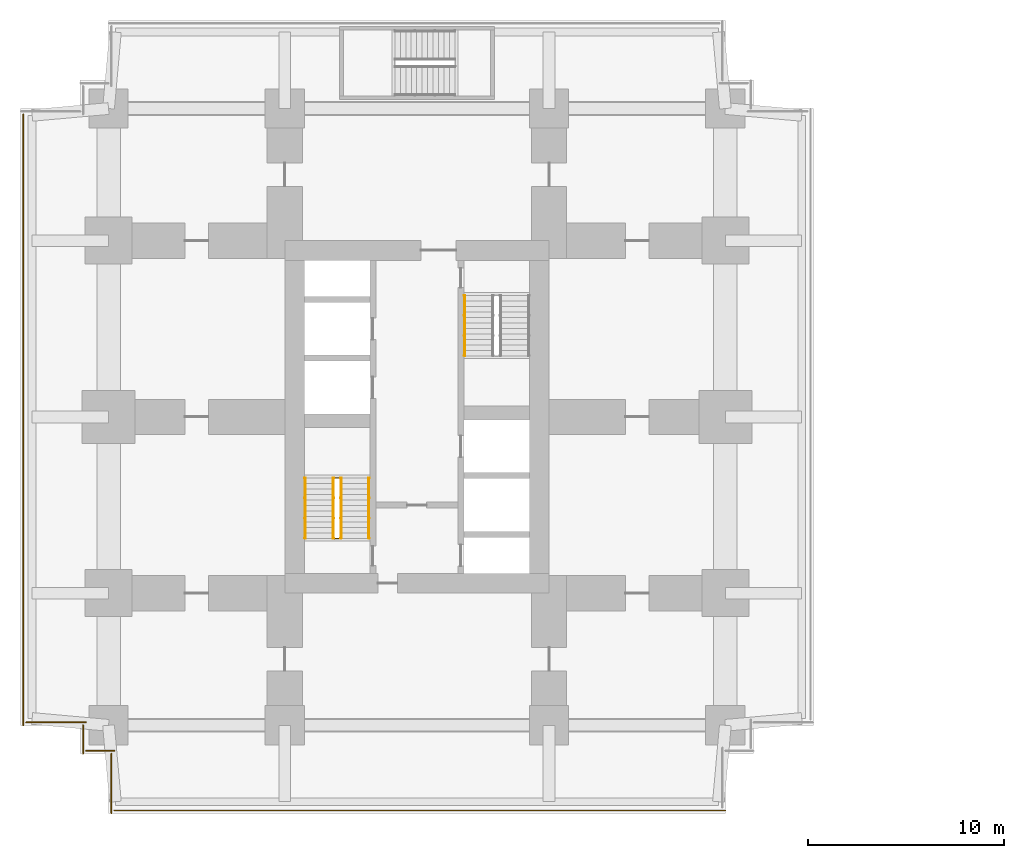
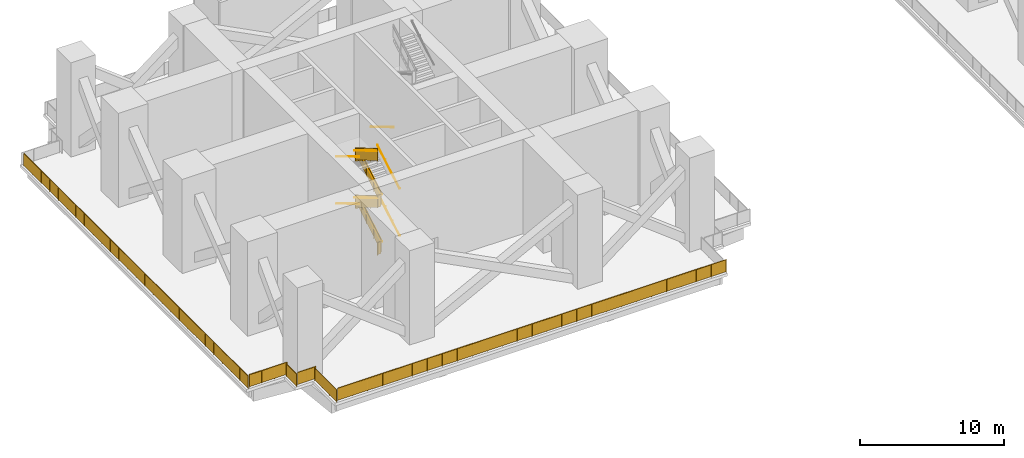
# One storey, part 7 of 12: 16 railings.
"""IFC4 building model written with IfcOpenShell, lengths in metres."""

from ifc_helpers import new_model, si_unit, direction, frame, origin, origin_2d, place, context, subcontext, project, spatial, polyline, circle, outline, extrude, material, type_object, element, save


model = new_model("IFC4")

# Units and contexts
model_context = context("Model", 3, precision=1e-05, world=origin(), true_north=direction((0.0, 1.0)))
body_context = subcontext(model_context, "Body", "Model", "MODEL_VIEW")
ifc_project = project(units=[si_unit("LENGTHUNIT", "METRE"), si_unit("AREAUNIT", "SQUARE_METRE"), si_unit("VOLUMEUNIT", "CUBIC_METRE"), si_unit("PLANEANGLEUNIT", "RADIAN"), si_unit("MASSUNIT", "GRAM", prefix="KILO")], contexts=[model_context])

# Site, building, storey
site_placement = place(None, origin())
site = spatial("IfcSite", under=ifc_project, at=site_placement, CompositionType="ELEMENT")
building_placement = place(site_placement, origin())
building = spatial("IfcBuilding", under=site, at=building_placement, Name="Namib Vertical Campus", CompositionType="ELEMENT")
storey_placement = place(building_placement, frame((0.0, 0.0, 77.0)))
storey = spatial("IfcBuildingStorey", under=building, at=storey_placement, Name="L18", CompositionType="ELEMENT", Elevation=77.0)

# Railings
ifc_material_1 = material(Name="Toughened glass balustrade", Category="glass")
railing_type_1 = type_object("IfcRailingType", Name="Edge guard 1100", PredefinedType="GUARDRAIL", material=ifc_material_1)
railing_1_placement = place(storey_placement, frame((4.800048828125, 0.14990234375, 0.0)))
element("IfcRailing", 1, at=railing_1_placement, inside=storey, type_object=railing_type_1, Name="Refuge edge guard GR2 A L18 1", PredefinedType="GUARDRAIL", context=body_context, shape_type="SweptSolid", body=[
    extrude(circle(Radius=0.02392578125, at=origin_2d()), frame((0.0, 0.0, 1.076171875), z_axis=(1.0, 0.0, 0.0), x_axis=(0.0, 1.0, 0.0)), (0.0, 0.0, 1.0), 31.199951171875),
    extrude(outline(polyline([(0.02099609375, 0.050048828125), (31.178955078125, 0.050048828125), (31.178955078125, 1.052001953125), (0.02099609375, 1.052001953125), (0.02099609375, 0.050048828125)])), frame((0.0, 0.0107421875, 0.0), z_axis=(0.0, -1.0, 0.0), x_axis=(1.0, 0.0, 0.0)), (0.0, 0.0, 1.0), 0.021484375),
    extrude(circle(Radius=0.02099609375, at=origin_2d()), origin(), (0.0, 0.0, 1.0), 1.052001953125),
    extrude(circle(Radius=0.02099609375, at=origin_2d()), frame((1.199951171875, 0.0, 0.0)), (0.0, 0.0, 1.0), 1.052001953125),
    extrude(circle(Radius=0.02099609375, at=origin_2d()), frame((2.39990234375, 0.0, 0.0)), (0.0, 0.0, 1.0), 1.052001953125),
    extrude(circle(Radius=0.02099609375, at=origin_2d()), frame((3.60009765625, 0.0, 0.0)), (0.0, 0.0, 1.0), 1.052001953125),
    extrude(circle(Radius=0.02099609375, at=origin_2d()), frame((4.800048828125, 0.0, 0.0)), (0.0, 0.0, 1.0), 1.052001953125),
    extrude(circle(Radius=0.02099609375, at=origin_2d()), frame((6.0, 0.0, 0.0)), (0.0, 0.0, 1.0), 1.052001953125),
    extrude(circle(Radius=0.02099609375, at=origin_2d()), frame((7.199951171875, 0.0, 0.0)), (0.0, 0.0, 1.0), 1.052001953125),
    extrude(circle(Radius=0.02099609375, at=origin_2d()), frame((8.39990234375, 0.0, 0.0)), (0.0, 0.0, 1.0), 1.052001953125),
    extrude(circle(Radius=0.02099609375, at=origin_2d()), frame((9.60009765625, 0.0, 0.0)), (0.0, 0.0, 1.0), 1.052001953125),
    extrude(circle(Radius=0.02099609375, at=origin_2d()), frame((10.800048828125, 0.0, 0.0)), (0.0, 0.0, 1.0), 1.052001953125),
    extrude(circle(Radius=0.02099609375, at=origin_2d()), frame((12.0, 0.0, 0.0)), (0.0, 0.0, 1.0), 1.052001953125),
    extrude(circle(Radius=0.02099609375, at=origin_2d()), frame((13.199951171875, 0.0, 0.0)), (0.0, 0.0, 1.0), 1.052001953125),
    extrude(circle(Radius=0.02099609375, at=origin_2d()), frame((14.39990234375, 0.0, 0.0)), (0.0, 0.0, 1.0), 1.052001953125),
    extrude(circle(Radius=0.02099609375, at=origin_2d()), frame((15.60009765625, 0.0, 0.0)), (0.0, 0.0, 1.0), 1.052001953125),
    extrude(circle(Radius=0.02099609375, at=origin_2d()), frame((16.800048828125, 0.0, 0.0)), (0.0, 0.0, 1.0), 1.052001953125),
    extrude(circle(Radius=0.02099609375, at=origin_2d()), frame((18.0, 0.0, 0.0)), (0.0, 0.0, 1.0), 1.052001953125),
    extrude(circle(Radius=0.02099609375, at=origin_2d()), frame((19.199951171875, 0.0, 0.0)), (0.0, 0.0, 1.0), 1.052001953125),
    extrude(circle(Radius=0.02099609375, at=origin_2d()), frame((20.39990234375, 0.0, 0.0)), (0.0, 0.0, 1.0), 1.052001953125),
    extrude(circle(Radius=0.02099609375, at=origin_2d()), frame((21.599853515625, 0.0, 0.0)), (0.0, 0.0, 1.0), 1.052001953125),
    extrude(circle(Radius=0.02099609375, at=origin_2d()), frame((22.800048828125, 0.0, 0.0)), (0.0, 0.0, 1.0), 1.052001953125),
    extrude(circle(Radius=0.02099609375, at=origin_2d()), frame((24.0, 0.0, 0.0)), (0.0, 0.0, 1.0), 1.052001953125),
    extrude(circle(Radius=0.02099609375, at=origin_2d()), frame((25.199951171875, 0.0, 0.0)), (0.0, 0.0, 1.0), 1.052001953125),
    extrude(circle(Radius=0.02099609375, at=origin_2d()), frame((26.39990234375, 0.0, 0.0)), (0.0, 0.0, 1.0), 1.052001953125),
    extrude(circle(Radius=0.02099609375, at=origin_2d()), frame((27.599853515625, 0.0, 0.0)), (0.0, 0.0, 1.0), 1.052001953125),
    extrude(circle(Radius=0.02099609375, at=origin_2d()), frame((28.800048828125, 0.0, 0.0)), (0.0, 0.0, 1.0), 1.052001953125),
    extrude(circle(Radius=0.02099609375, at=origin_2d()), frame((30.0, 0.0, 0.0)), (0.0, 0.0, 1.0), 1.052001953125),
    extrude(circle(Radius=0.02099609375, at=origin_2d()), frame((31.199951171875, 0.0, 0.0)), (0.0, 0.0, 1.0), 1.052001953125),
])
railing_2_placement = place(storey_placement, frame((0.14990234375, 35.699951171875, 0.0)))
element("IfcRailing", 2, at=railing_2_placement, inside=storey, type_object=railing_type_1, Name="Refuge edge guard GR2 A L18 16", PredefinedType="GUARDRAIL", context=body_context, shape_type="SweptSolid", body=[
    extrude(circle(Radius=0.02392578125, at=origin_2d()), frame((0.0, 0.0, 1.076171875), z_axis=(0.0, -1.0, 0.0), x_axis=(1.0, 0.0, 0.0)), (0.0, 0.0, 1.0), 31.199951171875),
    extrude(outline(polyline([(0.02099609375, 0.050048828125), (31.178955078125, 0.050048828125), (31.178955078125, 1.052001953125), (0.02099609375, 1.052001953125), (0.02099609375, 0.050048828125)])), frame((0.0107421875, 0.0, 0.0), z_axis=(-1.0, 0.0, 0.0), x_axis=(0.0, -1.0, 0.0)), (0.0, 0.0, 1.0), 0.021484375),
    extrude(circle(Radius=0.02099609375, at=origin_2d()), origin(), (0.0, 0.0, 1.0), 1.052001953125),
    extrude(circle(Radius=0.02099609375, at=origin_2d()), frame((0.0, -1.199951171875, 0.0)), (0.0, 0.0, 1.0), 1.052001953125),
    extrude(circle(Radius=0.02099609375, at=origin_2d()), frame((0.0, -2.39990234375, 0.0)), (0.0, 0.0, 1.0), 1.052001953125),
    extrude(circle(Radius=0.02099609375, at=origin_2d()), frame((0.0, -3.60009765625, 0.0)), (0.0, 0.0, 1.0), 1.052001953125),
    extrude(circle(Radius=0.02099609375, at=origin_2d()), frame((0.0, -4.800048828125, 0.0)), (0.0, 0.0, 1.0), 1.052001953125),
    extrude(circle(Radius=0.02099609375, at=origin_2d()), frame((0.0, -6.0, 0.0)), (0.0, 0.0, 1.0), 1.052001953125),
    extrude(circle(Radius=0.02099609375, at=origin_2d()), frame((0.0, -7.199951171875, 0.0)), (0.0, 0.0, 1.0), 1.052001953125),
    extrude(circle(Radius=0.02099609375, at=origin_2d()), frame((0.0, -8.39990234375, 0.0)), (0.0, 0.0, 1.0), 1.052001953125),
    extrude(circle(Radius=0.02099609375, at=origin_2d()), frame((0.0, -9.60009765625, 0.0)), (0.0, 0.0, 1.0), 1.052001953125),
    extrude(circle(Radius=0.02099609375, at=origin_2d()), frame((0.0, -10.800048828125, 0.0)), (0.0, 0.0, 1.0), 1.052001953125),
    extrude(circle(Radius=0.02099609375, at=origin_2d()), frame((0.0, -12.0, 0.0)), (0.0, 0.0, 1.0), 1.052001953125),
    extrude(circle(Radius=0.02099609375, at=origin_2d()), frame((0.0, -13.199951171875, 0.0)), (0.0, 0.0, 1.0), 1.052001953125),
    extrude(circle(Radius=0.02099609375, at=origin_2d()), frame((0.0, -14.39990234375, 0.0)), (0.0, 0.0, 1.0), 1.052001953125),
    extrude(circle(Radius=0.02099609375, at=origin_2d()), frame((0.0, -15.60009765625, 0.0)), (0.0, 0.0, 1.0), 1.052001953125),
    extrude(circle(Radius=0.02099609375, at=origin_2d()), frame((0.0, -16.800048828125, 0.0)), (0.0, 0.0, 1.0), 1.052001953125),
    extrude(circle(Radius=0.02099609375, at=origin_2d()), frame((0.0, -18.0, 0.0)), (0.0, 0.0, 1.0), 1.052001953125),
    extrude(circle(Radius=0.02099609375, at=origin_2d()), frame((0.0, -19.199951171875, 0.0)), (0.0, 0.0, 1.0), 1.052001953125),
    extrude(circle(Radius=0.02099609375, at=origin_2d()), frame((0.0, -20.39990234375, 0.0)), (0.0, 0.0, 1.0), 1.052001953125),
    extrude(circle(Radius=0.02099609375, at=origin_2d()), frame((0.0, -21.599853515625, 0.0)), (0.0, 0.0, 1.0), 1.052001953125),
    extrude(circle(Radius=0.02099609375, at=origin_2d()), frame((0.0, -22.800048828125, 0.0)), (0.0, 0.0, 1.0), 1.052001953125),
    extrude(circle(Radius=0.02099609375, at=origin_2d()), frame((0.0, -24.0, 0.0)), (0.0, 0.0, 1.0), 1.052001953125),
    extrude(circle(Radius=0.02099609375, at=origin_2d()), frame((0.0, -25.199951171875, 0.0)), (0.0, 0.0, 1.0), 1.052001953125),
    extrude(circle(Radius=0.02099609375, at=origin_2d()), frame((0.0, -26.39990234375, 0.0)), (0.0, 0.0, 1.0), 1.052001953125),
    extrude(circle(Radius=0.02099609375, at=origin_2d()), frame((0.0, -27.599853515625, 0.0)), (0.0, 0.0, 1.0), 1.052001953125),
    extrude(circle(Radius=0.02099609375, at=origin_2d()), frame((0.0, -28.800048828125, 0.0)), (0.0, 0.0, 1.0), 1.052001953125),
    extrude(circle(Radius=0.02099609375, at=origin_2d()), frame((0.0, -30.0, 0.0)), (0.0, 0.0, 1.0), 1.052001953125),
    extrude(circle(Radius=0.02099609375, at=origin_2d()), frame((0.0, -31.199951171875, 0.0)), (0.0, 0.0, 1.0), 1.052001953125),
])
railing_3_placement = place(storey_placement, frame((0.300048828125, 4.64990234375, 0.0)))
element("IfcRailing", 3, at=railing_3_placement, inside=storey, type_object=railing_type_1, Name="Refuge edge guard GR2 A L18 17", PredefinedType="GUARDRAIL", context=body_context, shape_type="SweptSolid", body=[
    extrude(circle(Radius=0.02392578125, at=origin_2d()), frame((0.0, 0.0, 1.076171875), z_axis=(1.0, 0.0, 0.0), x_axis=(0.0, 1.0, 0.0)), (0.0, 0.0, 1.0), 3.050048828125),
    extrude(outline(polyline([(0.02099609375, 0.050048828125), (3.029052734375, 0.050048828125), (3.029052734375, 1.052001953125), (0.02099609375, 1.052001953125), (0.02099609375, 0.050048828125)])), frame((0.0, 0.0107421875, 0.0), z_axis=(0.0, -1.0, 0.0), x_axis=(1.0, 0.0, 0.0)), (0.0, 0.0, 1.0), 0.021484375),
    extrude(circle(Radius=0.02099609375, at=origin_2d()), origin(), (0.0, 0.0, 1.0), 1.052001953125),
    extrude(circle(Radius=0.02099609375, at=origin_2d()), frame((1.0166015625, 0.0, 0.0)), (0.0, 0.0, 1.0), 1.052001953125),
    extrude(circle(Radius=0.02099609375, at=origin_2d()), frame((2.033447265625, 0.0, 0.0)), (0.0, 0.0, 1.0), 1.052001953125),
    extrude(circle(Radius=0.02099609375, at=origin_2d()), frame((3.050048828125, 0.0, 0.0)), (0.0, 0.0, 1.0), 1.052001953125),
])
railing_4_placement = place(storey_placement, frame((3.199951171875, 4.5, 0.0)))
element("IfcRailing", 4, at=railing_4_placement, inside=storey, type_object=railing_type_1, Name="Refuge edge guard GR2 A L18 18", PredefinedType="GUARDRAIL", context=body_context, shape_type="SweptSolid", body=[
    extrude(circle(Radius=0.02392578125, at=origin_2d()), frame((0.0, 0.0, 1.076171875), z_axis=(0.0, -1.0, 0.0), x_axis=(1.0, 0.0, 0.0)), (0.0, 0.0, 1.0), 1.449951171875),
    extrude(outline(polyline([(0.02099609375, 0.050048828125), (1.428955078125, 0.050048828125), (1.428955078125, 1.052001953125), (0.02099609375, 1.052001953125), (0.02099609375, 0.050048828125)])), frame((0.0107421875, 0.0, 0.0), z_axis=(-1.0, 0.0, 0.0), x_axis=(0.0, -1.0, 0.0)), (0.0, 0.0, 1.0), 0.021484375),
    extrude(circle(Radius=0.02099609375, at=origin_2d()), origin(), (0.0, 0.0, 1.0), 1.052001953125),
    extrude(circle(Radius=0.02099609375, at=origin_2d()), frame((0.0, -0.72509765625, 0.0)), (0.0, 0.0, 1.0), 1.052001953125),
    extrude(circle(Radius=0.02099609375, at=origin_2d()), frame((0.0, -1.449951171875, 0.0)), (0.0, 0.0, 1.0), 1.052001953125),
])
railing_5_placement = place(storey_placement, frame((3.35009765625, 3.199951171875, 0.0)))
element("IfcRailing", 5, at=railing_5_placement, inside=storey, type_object=railing_type_1, Name="Refuge edge guard GR2 A L18 19", PredefinedType="GUARDRAIL", context=body_context, shape_type="SweptSolid", body=[
    extrude(circle(Radius=0.02392578125, at=origin_2d()), frame((0.0, 0.0, 1.076171875), z_axis=(1.0, 0.0, 0.0), x_axis=(0.0, 1.0, 0.0)), (0.0, 0.0, 1.0), 1.449951171875),
    extrude(outline(polyline([(0.02099609375, 0.050048828125), (1.428955078125, 0.050048828125), (1.428955078125, 1.052001953125), (0.02099609375, 1.052001953125), (0.02099609375, 0.050048828125)])), frame((0.0, 0.0107421875, 0.0), z_axis=(0.0, -1.0, 0.0), x_axis=(1.0, 0.0, 0.0)), (0.0, 0.0, 1.0), 0.021484375),
    extrude(circle(Radius=0.02099609375, at=origin_2d()), origin(), (0.0, 0.0, 1.0), 1.052001953125),
    extrude(circle(Radius=0.02099609375, at=origin_2d()), frame((0.72509765625, 0.0, 0.0)), (0.0, 0.0, 1.0), 1.052001953125),
    extrude(circle(Radius=0.02099609375, at=origin_2d()), frame((1.449951171875, 0.0, 0.0)), (0.0, 0.0, 1.0), 1.052001953125),
])
railing_6_placement = place(storey_placement, frame((4.64990234375, 3.050048828125, 0.0)))
element("IfcRailing", 6, at=railing_6_placement, inside=storey, type_object=railing_type_1, Name="Refuge edge guard GR2 A L18 20", PredefinedType="GUARDRAIL", context=body_context, shape_type="SweptSolid", body=[
    extrude(circle(Radius=0.02392578125, at=origin_2d()), frame((0.0, 0.0, 1.076171875), z_axis=(0.0, -1.0, 0.0), x_axis=(1.0, 0.0, 0.0)), (0.0, 0.0, 1.0), 3.050048828125),
    extrude(outline(polyline([(0.02099609375, 0.050048828125), (3.029052734375, 0.050048828125), (3.029052734375, 1.052001953125), (0.02099609375, 1.052001953125), (0.02099609375, 0.050048828125)])), frame((0.0107421875, 0.0, 0.0), z_axis=(-1.0, 0.0, 0.0), x_axis=(0.0, -1.0, 0.0)), (0.0, 0.0, 1.0), 0.021484375),
    extrude(circle(Radius=0.02099609375, at=origin_2d()), origin(), (0.0, 0.0, 1.0), 1.052001953125),
    extrude(circle(Radius=0.02099609375, at=origin_2d()), frame((0.0, -1.0166015625, 0.0)), (0.0, 0.0, 1.0), 1.052001953125),
    extrude(circle(Radius=0.02099609375, at=origin_2d()), frame((0.0, -2.033447265625, 0.0)), (0.0, 0.0, 1.0), 1.052001953125),
    extrude(circle(Radius=0.02099609375, at=origin_2d()), frame((0.0, -3.050048828125, 0.0)), (0.0, 0.0, 1.0), 1.052001953125),
])
ifc_material_2 = material(Name="Steel handrail", Category="steel")
railing_type_2 = type_object("IfcRailingType", Name="Handrail 900", PredefinedType="HANDRAIL", material=ifc_material_2)
railing_7_placement = place(storey_placement, frame((17.800048828125, 14.050048828125, 0.166748046875)))
element("IfcRailing", 7, at=railing_7_placement, inside=storey, type_object=railing_type_2, Name="Handrail HR1 A-S1 L18 1", PredefinedType="HANDRAIL", context=body_context, shape_type="SweptSolid", body=[
    extrude(circle(Radius=0.02392578125, at=origin_2d()), frame((0.0, 0.0, 0.8759765625), z_axis=(0.0, 0.859290745958, 0.51148745235), x_axis=(-1.0, 0.0, 0.0)), (0.0, 0.0, 1.0), 3.584228515625),
    extrude(circle(Radius=0.008056640625, at=origin_2d()), frame((0.0, 0.0, 0.8759765625), z_axis=(1.0, 0.0, 0.0), x_axis=(0.0, 0.0, 1.0)), (0.0, 0.0, 1.0), 0.050048828125),
    extrude(circle(Radius=0.008056640625, at=origin_2d()), frame((0.0, 1.026611328125, 1.48681640625), z_axis=(1.0, 0.0, 0.0), x_axis=(0.0, 0.0, 1.0)), (0.0, 0.0, 1.0), 0.050048828125),
    extrude(circle(Radius=0.008056640625, at=origin_2d()), frame((0.0, 2.05322265625, 2.09814453125), z_axis=(1.0, 0.0, 0.0), x_axis=(0.0, 0.0, 1.0)), (0.0, 0.0, 1.0), 0.050048828125),
    extrude(circle(Radius=0.008056640625, at=origin_2d()), frame((0.0, 3.079833984375, 2.708984375), z_axis=(1.0, 0.0, 0.0), x_axis=(0.0, 0.0, 1.0)), (0.0, 0.0, 1.0), 0.050048828125),
])
railing_8_placement = place(storey_placement, frame((14.550048828125, 17.1298828125, 2.166748046875)))
element("IfcRailing", 8, at=railing_8_placement, inside=storey, type_object=railing_type_2, Name="Handrail HR1 A-S1 L18 2", PredefinedType="HANDRAIL", context=body_context, shape_type="SweptSolid", body=[
    extrude(circle(Radius=0.02392578125, at=origin_2d()), frame((0.0, 0.0, 0.8759765625), z_axis=(0.0, -0.859290745958, 0.51148745235), x_axis=(1.0, 0.0, 0.0)), (0.0, 0.0, 1.0), 3.584228515625),
    extrude(circle(Radius=0.008056640625, at=origin_2d()), frame((0.0, 0.0, 0.8759765625), z_axis=(-1.0, 0.0, 0.0), x_axis=(0.0, 0.0, 1.0)), (0.0, 0.0, 1.0), 0.050048828125),
    extrude(circle(Radius=0.008056640625, at=origin_2d()), frame((0.0, -1.026611328125, 1.48681640625), z_axis=(-1.0, 0.0, 0.0), x_axis=(0.0, 0.0, 1.0)), (0.0, 0.0, 1.0), 0.050048828125),
    extrude(circle(Radius=0.008056640625, at=origin_2d()), frame((0.0, -2.05322265625, 2.09814453125), z_axis=(-1.0, 0.0, 0.0), x_axis=(0.0, 0.0, 1.0)), (0.0, 0.0, 1.0), 0.050048828125),
    extrude(circle(Radius=0.008056640625, at=origin_2d()), frame((0.0, -3.079833984375, 2.708984375), z_axis=(-1.0, 0.0, 0.0), x_axis=(0.0, 0.0, 1.0)), (0.0, 0.0, 1.0), 0.050048828125),
])
railing_9_placement = place(storey_placement, frame((17.800048828125, 14.050048828125, 4.166748046875)))
element("IfcRailing", 9, at=railing_9_placement, inside=storey, type_object=railing_type_2, Name="Handrail HR1 A-S1 L18 3", PredefinedType="HANDRAIL", context=body_context, shape_type="SweptSolid", body=[
    extrude(circle(Radius=0.02392578125, at=origin_2d()), frame((0.0, 0.0, 0.8759765625), z_axis=(0.0, 0.859290745958, 0.51148745235), x_axis=(-1.0, 0.0, 0.0)), (0.0, 0.0, 1.0), 3.584228515625),
    extrude(circle(Radius=0.008056640625, at=origin_2d()), frame((0.0, 0.0, 0.8759765625), z_axis=(1.0, 0.0, 0.0), x_axis=(0.0, 0.0, 1.0)), (0.0, 0.0, 1.0), 0.050048828125),
    extrude(circle(Radius=0.008056640625, at=origin_2d()), frame((0.0, 1.026611328125, 1.48681640625), z_axis=(1.0, 0.0, 0.0), x_axis=(0.0, 0.0, 1.0)), (0.0, 0.0, 1.0), 0.050048828125),
    extrude(circle(Radius=0.008056640625, at=origin_2d()), frame((0.0, 2.05322265625, 2.09814453125), z_axis=(1.0, 0.0, 0.0), x_axis=(0.0, 0.0, 1.0)), (0.0, 0.0, 1.0), 0.050048828125),
    extrude(circle(Radius=0.008056640625, at=origin_2d()), frame((0.0, 3.079833984375, 2.708984375), z_axis=(1.0, 0.0, 0.0), x_axis=(0.0, 0.0, 1.0)), (0.0, 0.0, 1.0), 0.050048828125),
])
railing_10_placement = place(storey_placement, frame((14.550048828125, 17.1298828125, 6.166748046875)))
element("IfcRailing", 10, at=railing_10_placement, inside=storey, type_object=railing_type_2, Name="Handrail HR1 A-S1 L18 4", PredefinedType="HANDRAIL", context=body_context, shape_type="SweptSolid", body=[
    extrude(circle(Radius=0.02392578125, at=origin_2d()), frame((0.0, 0.0, 0.8759765625), z_axis=(0.0, -0.859290745958, 0.51148745235), x_axis=(1.0, 0.0, 0.0)), (0.0, 0.0, 1.0), 3.584228515625),
    extrude(circle(Radius=0.008056640625, at=origin_2d()), frame((0.0, 0.0, 0.8759765625), z_axis=(-1.0, 0.0, 0.0), x_axis=(0.0, 0.0, 1.0)), (0.0, 0.0, 1.0), 0.050048828125),
    extrude(circle(Radius=0.008056640625, at=origin_2d()), frame((0.0, -1.026611328125, 1.48681640625), z_axis=(-1.0, 0.0, 0.0), x_axis=(0.0, 0.0, 1.0)), (0.0, 0.0, 1.0), 0.050048828125),
    extrude(circle(Radius=0.008056640625, at=origin_2d()), frame((0.0, -2.05322265625, 2.09814453125), z_axis=(-1.0, 0.0, 0.0), x_axis=(0.0, 0.0, 1.0)), (0.0, 0.0, 1.0), 0.050048828125),
    extrude(circle(Radius=0.008056640625, at=origin_2d()), frame((0.0, -3.079833984375, 2.708984375), z_axis=(-1.0, 0.0, 0.0), x_axis=(0.0, 0.0, 1.0)), (0.0, 0.0, 1.0), 0.050048828125),
])
railing_11_placement = place(storey_placement, frame((16.375, 14.050048828125, 0.166748046875)))
element("IfcRailing", 11, at=railing_11_placement, inside=storey, type_object=railing_type_2, Name="Handrail HR1 A-S1 L18 1 at the well", PredefinedType="HANDRAIL", context=body_context, shape_type="SweptSolid", body=[
    extrude(circle(Radius=0.02392578125, at=origin_2d()), frame((0.0, 0.0, 0.8759765625), z_axis=(0.0, 0.859290745958, 0.51148745235), x_axis=(-1.0, 0.0, 0.0)), (0.0, 0.0, 1.0), 3.584228515625),
    extrude(circle(Radius=0.008056640625, at=origin_2d()), frame((0.0, 0.0, 0.8759765625), z_axis=(-1.0, 0.0, 0.0), x_axis=(0.0, 0.0, 1.0)), (0.0, 0.0, 1.0), 0.0400390625),
    extrude(circle(Radius=0.008056640625, at=origin_2d()), frame((0.0, 1.026611328125, 1.48681640625), z_axis=(-1.0, 0.0, 0.0), x_axis=(0.0, 0.0, 1.0)), (0.0, 0.0, 1.0), 0.0400390625),
    extrude(circle(Radius=0.008056640625, at=origin_2d()), frame((0.0, 2.05322265625, 2.09814453125), z_axis=(-1.0, 0.0, 0.0), x_axis=(0.0, 0.0, 1.0)), (0.0, 0.0, 1.0), 0.0400390625),
    extrude(circle(Radius=0.008056640625, at=origin_2d()), frame((0.0, 3.079833984375, 2.708984375), z_axis=(-1.0, 0.0, 0.0), x_axis=(0.0, 0.0, 1.0)), (0.0, 0.0, 1.0), 0.0400390625),
])
railing_12_placement = place(storey_placement, frame((15.97509765625, 17.1298828125, 2.166748046875)))
element("IfcRailing", 12, at=railing_12_placement, inside=storey, type_object=railing_type_2, Name="Handrail HR1 A-S1 L18 2 at the well", PredefinedType="HANDRAIL", context=body_context, shape_type="SweptSolid", body=[
    extrude(circle(Radius=0.02392578125, at=origin_2d()), frame((0.0, 0.0, 0.8759765625), z_axis=(0.0, -0.859290745958, 0.51148745235), x_axis=(1.0, 0.0, 0.0)), (0.0, 0.0, 1.0), 3.584228515625),
    extrude(circle(Radius=0.008056640625, at=origin_2d()), frame((0.0, 0.0, 0.8759765625), z_axis=(1.0, 0.0, 0.0), x_axis=(0.0, 0.0, 1.0)), (0.0, 0.0, 1.0), 0.0400390625),
    extrude(circle(Radius=0.008056640625, at=origin_2d()), frame((0.0, -1.026611328125, 1.48681640625), z_axis=(1.0, 0.0, 0.0), x_axis=(0.0, 0.0, 1.0)), (0.0, 0.0, 1.0), 0.0400390625),
    extrude(circle(Radius=0.008056640625, at=origin_2d()), frame((0.0, -2.05322265625, 2.09814453125), z_axis=(1.0, 0.0, 0.0), x_axis=(0.0, 0.0, 1.0)), (0.0, 0.0, 1.0), 0.0400390625),
    extrude(circle(Radius=0.008056640625, at=origin_2d()), frame((0.0, -3.079833984375, 2.708984375), z_axis=(1.0, 0.0, 0.0), x_axis=(0.0, 0.0, 1.0)), (0.0, 0.0, 1.0), 0.0400390625),
])
railing_13_placement = place(storey_placement, frame((16.375, 14.050048828125, 4.166748046875)))
element("IfcRailing", 13, at=railing_13_placement, inside=storey, type_object=railing_type_2, Name="Handrail HR1 A-S1 L18 3 at the well", PredefinedType="HANDRAIL", context=body_context, shape_type="SweptSolid", body=[
    extrude(circle(Radius=0.02392578125, at=origin_2d()), frame((0.0, 0.0, 0.8759765625), z_axis=(0.0, 0.859290745958, 0.51148745235), x_axis=(-1.0, 0.0, 0.0)), (0.0, 0.0, 1.0), 3.584228515625),
    extrude(circle(Radius=0.008056640625, at=origin_2d()), frame((0.0, 0.0, 0.8759765625), z_axis=(-1.0, 0.0, 0.0), x_axis=(0.0, 0.0, 1.0)), (0.0, 0.0, 1.0), 0.0400390625),
    extrude(circle(Radius=0.008056640625, at=origin_2d()), frame((0.0, 1.026611328125, 1.48681640625), z_axis=(-1.0, 0.0, 0.0), x_axis=(0.0, 0.0, 1.0)), (0.0, 0.0, 1.0), 0.0400390625),
    extrude(circle(Radius=0.008056640625, at=origin_2d()), frame((0.0, 2.05322265625, 2.09814453125), z_axis=(-1.0, 0.0, 0.0), x_axis=(0.0, 0.0, 1.0)), (0.0, 0.0, 1.0), 0.0400390625),
    extrude(circle(Radius=0.008056640625, at=origin_2d()), frame((0.0, 3.079833984375, 2.708984375), z_axis=(-1.0, 0.0, 0.0), x_axis=(0.0, 0.0, 1.0)), (0.0, 0.0, 1.0), 0.0400390625),
])
railing_14_placement = place(storey_placement, frame((15.97509765625, 17.1298828125, 6.166748046875)))
element("IfcRailing", 14, at=railing_14_placement, inside=storey, type_object=railing_type_2, Name="Handrail HR1 A-S1 L18 4 at the well", PredefinedType="HANDRAIL", context=body_context, shape_type="SweptSolid", body=[
    extrude(circle(Radius=0.02392578125, at=origin_2d()), frame((0.0, 0.0, 0.8759765625), z_axis=(0.0, -0.859290745958, 0.51148745235), x_axis=(1.0, 0.0, 0.0)), (0.0, 0.0, 1.0), 3.584228515625),
    extrude(circle(Radius=0.008056640625, at=origin_2d()), frame((0.0, 0.0, 0.8759765625), z_axis=(1.0, 0.0, 0.0), x_axis=(0.0, 0.0, 1.0)), (0.0, 0.0, 1.0), 0.0400390625),
    extrude(circle(Radius=0.008056640625, at=origin_2d()), frame((0.0, -1.026611328125, 1.48681640625), z_axis=(1.0, 0.0, 0.0), x_axis=(0.0, 0.0, 1.0)), (0.0, 0.0, 1.0), 0.0400390625),
    extrude(circle(Radius=0.008056640625, at=origin_2d()), frame((0.0, -2.05322265625, 2.09814453125), z_axis=(1.0, 0.0, 0.0), x_axis=(0.0, 0.0, 1.0)), (0.0, 0.0, 1.0), 0.0400390625),
    extrude(circle(Radius=0.008056640625, at=origin_2d()), frame((0.0, -3.079833984375, 2.708984375), z_axis=(1.0, 0.0, 0.0), x_axis=(0.0, 0.0, 1.0)), (0.0, 0.0, 1.0), 0.0400390625),
])
railing_15_placement = place(storey_placement, frame((22.699951171875, 26.449951171875, 0.166748046875)))
element("IfcRailing", 15, at=railing_15_placement, inside=storey, type_object=railing_type_2, Name="Handrail HR1 A-S2 L18 1", PredefinedType="HANDRAIL", context=body_context, shape_type="SweptSolid", body=[
    extrude(circle(Radius=0.02392578125, at=origin_2d()), frame((0.0, 0.0, 0.8759765625), z_axis=(0.0, -0.859290745958, 0.51148745235), x_axis=(1.0, 0.0, 0.0)), (0.0, 0.0, 1.0), 3.584228515625),
    extrude(circle(Radius=0.008056640625, at=origin_2d()), frame((0.0, 0.0, 0.8759765625), z_axis=(-1.0, 0.0, 0.0), x_axis=(0.0, 0.0, 1.0)), (0.0, 0.0, 1.0), 0.050048828125),
    extrude(circle(Radius=0.008056640625, at=origin_2d()), frame((0.0, -1.026611328125, 1.48681640625), z_axis=(-1.0, 0.0, 0.0), x_axis=(0.0, 0.0, 1.0)), (0.0, 0.0, 1.0), 0.050048828125),
    extrude(circle(Radius=0.008056640625, at=origin_2d()), frame((0.0, -2.05322265625, 2.09814453125), z_axis=(-1.0, 0.0, 0.0), x_axis=(0.0, 0.0, 1.0)), (0.0, 0.0, 1.0), 0.050048828125),
    extrude(circle(Radius=0.008056640625, at=origin_2d()), frame((0.0, -3.079833984375, 2.708984375), z_axis=(-1.0, 0.0, 0.0), x_axis=(0.0, 0.0, 1.0)), (0.0, 0.0, 1.0), 0.050048828125),
])
ifc_material_3 = material(Name="Steel balustrade", Category="steel")
railing_type_3 = type_object("IfcRailingType", Name="Stair guard 1100", PredefinedType="GUARDRAIL", material=ifc_material_3)
railing_16_placement = place(storey_placement, frame((16.02490234375, 14.050048828125, 0.0)))
element("IfcRailing", 16, at=railing_16_placement, inside=storey, type_object=railing_type_3, Name="Stair guard GR1 A-S1 L18", PredefinedType="GUARDRAIL", context=body_context, shape_type="SweptSolid", body=[
    extrude(circle(Radius=0.02392578125, at=origin_2d()), frame((0.0, 0.0, 1.076171875), z_axis=(1.0, 0.0, 0.0), x_axis=(0.0, 1.0, 0.0)), (0.0, 0.0, 1.0), 0.300048828125),
    extrude(outline(polyline([(0.02099609375, 0.050048828125), (0.279052734375, 0.050048828125), (0.279052734375, 1.052001953125), (0.02099609375, 1.052001953125), (0.02099609375, 0.050048828125)])), frame((0.0, 0.010009765625, 0.0), z_axis=(0.0, -1.0, 0.0), x_axis=(1.0, 0.0, 0.0)), (0.0, 0.0, 1.0), 0.02001953125),
    extrude(circle(Radius=0.02392578125, at=origin_2d()), frame((0.300048828125, 0.0, 1.076171875), z_axis=(0.0, 0.0, 1.0), x_axis=(1.0, 0.0, 0.0)), (0.0, 0.0, 1.0), 0.166748046875),
    extrude(circle(Radius=0.02392578125, at=origin_2d()), frame((0.300048828125, 0.0, 1.24267578125), z_axis=(0.0, 0.859290745958, 0.51148745235), x_axis=(-1.0, 0.0, 0.0)), (0.0, 0.0, 1.0), 3.584228515625),
    extrude(outline(polyline([(0.02099609375, 0.0625), (3.058837890625, 1.870849609375), (3.058837890625, 2.872802734375), (0.02099609375, 1.064453125), (0.02099609375, 0.0625)])), frame((0.2900390625, 0.0, 0.166748046875), z_axis=(1.0, 0.0, 0.0), x_axis=(0.0, 1.0, 0.0)), (0.0, 0.0, 1.0), 0.02001953125),
    extrude(circle(Radius=0.02392578125, at=origin_2d()), frame((0.300048828125, 3.079833984375, 3.076171875), z_axis=(-1.0, 0.0, 0.0), x_axis=(0.0, -1.0, 0.0)), (0.0, 0.0, 1.0), 0.300048828125),
    extrude(outline(polyline([(0.02099609375, 0.050048828125), (0.279052734375, 0.050048828125), (0.279052734375, 1.052001953125), (0.02099609375, 1.052001953125), (0.02099609375, 0.050048828125)])), frame((0.300048828125, 3.06982421875, 2.0), z_axis=(0.0, 1.0, 0.0), x_axis=(-1.0, 0.0, 0.0)), (0.0, 0.0, 1.0), 0.02001953125),
    extrude(circle(Radius=0.02392578125, at=origin_2d()), frame((0.0, 3.079833984375, 3.076171875), z_axis=(0.0, 0.0, 1.0), x_axis=(1.0, 0.0, 0.0)), (0.0, 0.0, 1.0), 0.166748046875),
    extrude(circle(Radius=0.02392578125, at=origin_2d()), frame((0.0, 3.079833984375, 3.24267578125), z_axis=(0.0, -0.859290745958, 0.51148745235), x_axis=(1.0, 0.0, 0.0)), (0.0, 0.0, 1.0), 3.584228515625),
    extrude(outline(polyline([(0.02099609375, 0.0625), (3.058837890625, 1.870849609375), (3.058837890625, 2.872802734375), (0.02099609375, 1.064453125), (0.02099609375, 0.0625)])), frame((0.010009765625, 3.079833984375, 2.166748046875), z_axis=(-1.0, 0.0, 0.0), x_axis=(0.0, -1.0, 0.0)), (0.0, 0.0, 1.0), 0.02001953125),
    extrude(circle(Radius=0.02392578125, at=origin_2d()), frame((0.0, 0.0, 5.076171875), z_axis=(1.0, 0.0, 0.0), x_axis=(0.0, 1.0, 0.0)), (0.0, 0.0, 1.0), 0.300048828125),
    extrude(outline(polyline([(0.02099609375, 0.050048828125), (0.279052734375, 0.050048828125), (0.279052734375, 1.052001953125), (0.02099609375, 1.052001953125), (0.02099609375, 0.050048828125)])), frame((0.0, 0.010009765625, 4.0), z_axis=(0.0, -1.0, 0.0), x_axis=(1.0, 0.0, 0.0)), (0.0, 0.0, 1.0), 0.02001953125),
    extrude(circle(Radius=0.02392578125, at=origin_2d()), frame((0.300048828125, 0.0, 5.076171875), z_axis=(0.0, 0.0, 1.0), x_axis=(1.0, 0.0, 0.0)), (0.0, 0.0, 1.0), 0.166748046875),
    extrude(circle(Radius=0.02392578125, at=origin_2d()), frame((0.300048828125, 0.0, 5.24267578125), z_axis=(0.0, 0.859290745958, 0.51148745235), x_axis=(-1.0, 0.0, 0.0)), (0.0, 0.0, 1.0), 3.584228515625),
    extrude(outline(polyline([(0.02099609375, 0.0625), (3.058837890625, 1.870849609375), (3.058837890625, 2.872802734375), (0.02099609375, 1.064453125), (0.02099609375, 0.0625)])), frame((0.2900390625, 0.0, 4.166748046875), z_axis=(1.0, 0.0, 0.0), x_axis=(0.0, 1.0, 0.0)), (0.0, 0.0, 1.0), 0.02001953125),
    extrude(circle(Radius=0.02392578125, at=origin_2d()), frame((0.300048828125, 3.079833984375, 7.076171875), z_axis=(-1.0, 0.0, 0.0), x_axis=(0.0, -1.0, 0.0)), (0.0, 0.0, 1.0), 0.300048828125),
    extrude(outline(polyline([(0.02099609375, 0.050048828125), (0.279052734375, 0.050048828125), (0.279052734375, 1.052001953125), (0.02099609375, 1.052001953125), (0.02099609375, 0.050048828125)])), frame((0.300048828125, 3.06982421875, 6.0), z_axis=(0.0, 1.0, 0.0), x_axis=(-1.0, 0.0, 0.0)), (0.0, 0.0, 1.0), 0.02001953125),
    extrude(circle(Radius=0.02392578125, at=origin_2d()), frame((0.0, 3.079833984375, 7.076171875), z_axis=(0.0, 0.0, 1.0), x_axis=(1.0, 0.0, 0.0)), (0.0, 0.0, 1.0), 0.166748046875),
    extrude(circle(Radius=0.02392578125, at=origin_2d()), frame((0.0, 3.079833984375, 7.24267578125), z_axis=(0.0, -0.859290745958, 0.51148745235), x_axis=(1.0, 0.0, 0.0)), (0.0, 0.0, 1.0), 3.584228515625),
    extrude(outline(polyline([(0.02099609375, 0.0625), (3.058837890625, 1.870849609375), (3.058837890625, 2.872802734375), (0.02099609375, 1.064453125), (0.02099609375, 0.0625)])), frame((0.010009765625, 3.079833984375, 6.166748046875), z_axis=(-1.0, 0.0, 0.0), x_axis=(0.0, -1.0, 0.0)), (0.0, 0.0, 1.0), 0.02001953125),
    extrude(circle(Radius=0.02392578125, at=origin_2d()), frame((0.0, 0.0, 9.076171875), z_axis=(0.0, -1.0, 0.0), x_axis=(1.0, 0.0, 0.0)), (0.0, 0.0, 1.0), 0.050048828125),
    extrude(outline(polyline([(0.02099609375, 0.050048828125), (0.029052734375, 0.050048828125), (0.029052734375, 1.052001953125), (0.02099609375, 1.052001953125), (0.02099609375, 0.050048828125)])), frame((0.010009765625, 0.0, 8.0), z_axis=(-1.0, 0.0, 0.0), x_axis=(0.0, -1.0, 0.0)), (0.0, 0.0, 1.0), 0.02001953125),
    extrude(circle(Radius=0.02099609375, at=origin_2d()), origin(), (0.0, 0.0, 1.0), 1.052001953125),
    extrude(circle(Radius=0.02099609375, at=origin_2d()), frame((0.300048828125, 0.0, 0.166748046875)), (0.0, 0.0, 1.0), 1.052001953125),
    extrude(circle(Radius=0.02099609375, at=origin_2d()), frame((0.300048828125, 1.026611328125, 0.666748046875)), (0.0, 0.0, 1.0), 1.1630859375),
    extrude(circle(Radius=0.02099609375, at=origin_2d()), frame((0.300048828125, 2.05322265625, 1.33349609375)), (0.0, 0.0, 1.0), 1.107421875),
    extrude(circle(Radius=0.02099609375, at=origin_2d()), frame((0.300048828125, 3.079833984375, 2.0)), (0.0, 0.0, 1.0), 1.052001953125),
    extrude(circle(Radius=0.02099609375, at=origin_2d()), frame((0.0, 3.079833984375, 2.166748046875)), (0.0, 0.0, 1.0), 1.052001953125),
    extrude(circle(Radius=0.02099609375, at=origin_2d()), frame((0.0, 2.05322265625, 2.666748046875)), (0.0, 0.0, 1.0), 1.1630859375),
    extrude(circle(Radius=0.02099609375, at=origin_2d()), frame((0.0, 1.026611328125, 3.33349609375)), (0.0, 0.0, 1.0), 1.107421875),
    extrude(circle(Radius=0.02099609375, at=origin_2d()), frame((0.0, 0.0, 4.0)), (0.0, 0.0, 1.0), 1.052001953125),
    extrude(circle(Radius=0.02099609375, at=origin_2d()), frame((0.300048828125, 0.0, 4.166748046875)), (0.0, 0.0, 1.0), 1.052001953125),
    extrude(circle(Radius=0.02099609375, at=origin_2d()), frame((0.300048828125, 1.026611328125, 4.666748046875)), (0.0, 0.0, 1.0), 1.1630859375),
    extrude(circle(Radius=0.02099609375, at=origin_2d()), frame((0.300048828125, 2.05322265625, 5.33349609375)), (0.0, 0.0, 1.0), 1.107421875),
    extrude(circle(Radius=0.02099609375, at=origin_2d()), frame((0.300048828125, 3.079833984375, 6.0)), (0.0, 0.0, 1.0), 1.052001953125),
    extrude(circle(Radius=0.02099609375, at=origin_2d()), frame((0.0, 3.079833984375, 6.166748046875)), (0.0, 0.0, 1.0), 1.052001953125),
    extrude(circle(Radius=0.02099609375, at=origin_2d()), frame((0.0, 2.05322265625, 6.666748046875)), (0.0, 0.0, 1.0), 1.1630859375),
    extrude(circle(Radius=0.02099609375, at=origin_2d()), frame((0.0, 1.026611328125, 7.33349609375)), (0.0, 0.0, 1.0), 1.107421875),
    extrude(circle(Radius=0.02099609375, at=origin_2d()), frame((0.0, 0.0, 8.0)), (0.0, 0.0, 1.0), 1.052001953125),
    extrude(circle(Radius=0.02099609375, at=origin_2d()), frame((0.0, -0.050048828125, 8.0)), (0.0, 0.0, 1.0), 1.052001953125),
])

save(model, "model.ifc")
